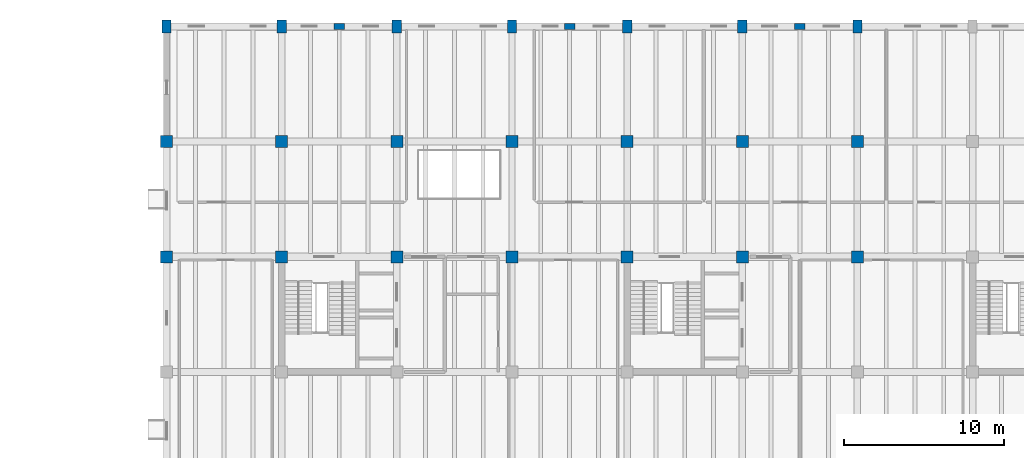
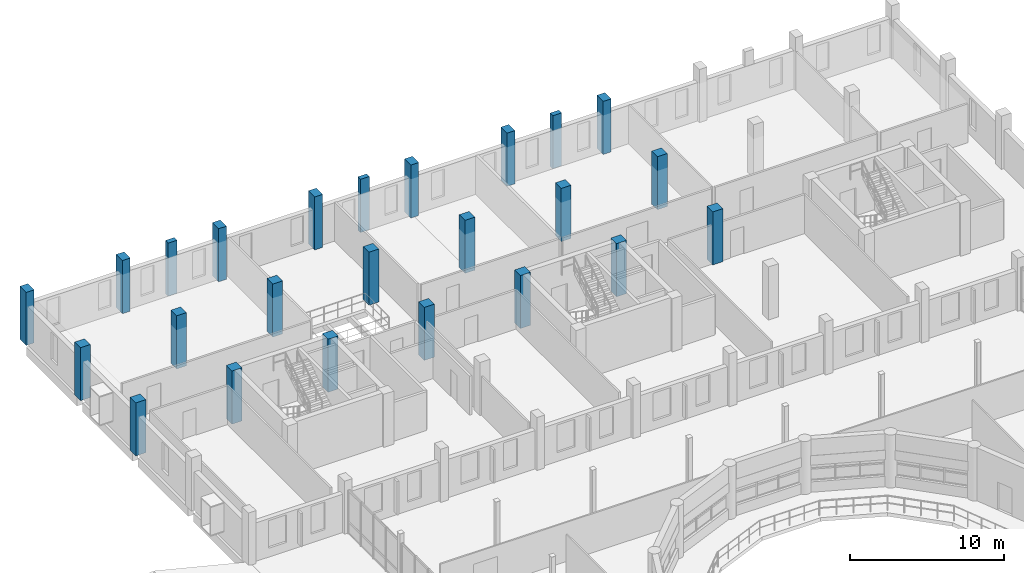
# One storey, part 9 of 63: 24 columns.
"""IFC4 building model written with IfcOpenShell, lengths in metres."""

from ifc_helpers import new_model, si_unit, direction, frame, origin, origin_2d, place, context, subcontext, project, spatial, rectangle, extrude, material, material_profile, profile_set, type_object, element, save


model = new_model("IFC4")

# Units and contexts
model_context = context("Model", 3, precision=1e-05, world=origin(), true_north=direction((0.0, 1.0)))
body_context = subcontext(model_context, "Body", "Model", "MODEL_VIEW")
ifc_project = project(units=[si_unit("LENGTHUNIT", "METRE"), si_unit("AREAUNIT", "SQUARE_METRE"), si_unit("VOLUMEUNIT", "CUBIC_METRE"), si_unit("PLANEANGLEUNIT", "RADIAN"), si_unit("MASSUNIT", "GRAM", prefix="KILO")], contexts=[model_context])

# Site, building, storey
site_placement = place(None, origin())
site = spatial("IfcSite", under=ifc_project, at=site_placement, CompositionType="ELEMENT")
building_placement = place(site_placement, origin())
building = spatial("IfcBuilding", under=site, at=building_placement, Name="Qiaolan Assembly House", CompositionType="ELEMENT")
storey_placement = place(building_placement, frame((0.0, 0.0, 14.39990234375)))
storey = spatial("IfcBuildingStorey", under=building, at=storey_placement, Name="L03", CompositionType="ELEMENT", Elevation=14.39990234375)

# Columns
ifc_material_1 = material(Name="Concrete C45/55", Category="concrete")
ifc_material_profile_1 = material_profile(ifc_material_1, rectangle(XDim=0.75, YDim=0.75, at=origin_2d()), Name="RC 750x750")
ifc_profile_set_1 = profile_set([ifc_material_profile_1], Name="Concrete C45/55")
column_type_1 = type_object("IfcColumnType", Name="COL-RC-750", PredefinedType="COLUMN", material=ifc_profile_set_1)
for number, where, z_axis, x_axis, name in (
    (1, (36.0, 100.800048828125, 0.0), (0.0, 0.0, 1.0), (1.0, 0.0, 0.0), "RC-06 column NW L03"),
    (2, (36.0, 108.0, 0.0), (0.0, 0.0, 1.0), (1.0, 0.0, 0.0), "RC-06 column NW L03"),
    (3, (43.199951171875, 100.800048828125, 0.0), (0.0, 0.0, 1.0), (1.0, 0.0, 0.0), "RC-06 column NW L03"),
    (4, (43.199951171875, 108.0, 0.0), (0.0, 0.0, 1.0), (1.0, 0.0, 0.0), "RC-06 column NW L03"),
    (5, (50.39990234375, 100.800048828125, 0.0), (0.0, 0.0, 1.0), (1.0, 0.0, 0.0), "RC-06 column NW L03"),
    (6, (50.39990234375, 108.0, 0.0), (0.0, 0.0, 1.0), (1.0, 0.0, 0.0), "RC-06 column NW L03"),
    (7, (57.60009765625, 100.800048828125, 0.0), (0.0, 0.0, 1.0), (1.0, 0.0, 0.0), "RC-06 column NW L03"),
    (8, (57.60009765625, 108.0, 0.0), (0.0, 0.0, 1.0), (1.0, 0.0, 0.0), "RC-06 column NW L03"),
    (9, (64.800048828125, 100.800048828125, 0.0), (0.0, 0.0, 1.0), (1.0, 0.0, 0.0), "RC-06 column NW L03"),
    (10, (64.800048828125, 108.0, 0.0), (0.0, 0.0, 1.0), (1.0, 0.0, 0.0), "RC-06 column NW L03"),
    (11, (72.0, 100.800048828125, 0.0), (0.0, 0.0, 1.0), (1.0, 0.0, 0.0), "RC-06 column NW L03"),
    (12, (72.0, 108.0, 0.0), (0.0, 0.0, 1.0), (1.0, 0.0, 0.0), "RC-06 column NW L03"),
    (13, (79.199951171875, 100.800048828125, 0.0), (0.0, 0.0, 1.0), (1.0, 0.0, 0.0), "RC-06 column NW L03"),
    (14, (79.199951171875, 108.0, 0.0), (0.0, 0.0, 1.0), (1.0, 0.0, 0.0), "RC-06 column NW L03"),
):
    element("IfcColumn", number, at=place(storey_placement, frame(where, z_axis=z_axis, x_axis=x_axis)), inside=storey, type_object=column_type_1, Name=name, PredefinedType="COLUMN", context=body_context, shape_type="SweptSolid", body=[
        extrude(rectangle(XDim=0.75, YDim=0.75, at=origin_2d()), origin(), (0.0, 0.0, 1.0), 4.2001953125),
    ])
ifc_material_profile_2 = material_profile(ifc_material_1, rectangle(XDim=0.580078125, YDim=0.81005859375, at=origin_2d()), Name="RC 810x580")
ifc_profile_set_2 = profile_set([ifc_material_profile_2], Name="Concrete C45/55")
column_type_2 = type_object("IfcColumnType", Name="COL-RC-810x580", PredefinedType="COLUMN", material=ifc_profile_set_2)
for number, where, z_axis, x_axis, name in (
    (15, (36.0, 115.199951171875, 0.0), (0.0, 0.0, 1.0), (1.0, 0.0, 0.0), "RC-18 column NW L03"),
    (16, (43.199951171875, 115.199951171875, 0.0), (0.0, 0.0, 1.0), (1.0, 0.0, 0.0), "RC-18 column NW L03"),
    (17, (50.39990234375, 115.199951171875, 0.0), (0.0, 0.0, 1.0), (1.0, 0.0, 0.0), "RC-18 column NW L03"),
    (18, (57.60009765625, 115.199951171875, 0.0), (0.0, 0.0, 1.0), (1.0, 0.0, 0.0), "RC-18 column NW L03"),
    (19, (64.800048828125, 115.199951171875, 0.0), (0.0, 0.0, 1.0), (1.0, 0.0, 0.0), "RC-18 column NW L03"),
    (20, (72.0, 115.199951171875, 0.0), (0.0, 0.0, 1.0), (1.0, 0.0, 0.0), "RC-18 column NW L03"),
    (21, (79.199951171875, 115.199951171875, 0.0), (0.0, 0.0, 1.0), (1.0, 0.0, 0.0), "RC-18 column NW L03"),
):
    element("IfcColumn", number, at=place(storey_placement, frame(where, z_axis=z_axis, x_axis=x_axis)), inside=storey, type_object=column_type_2, Name=name, PredefinedType="COLUMN", context=body_context, shape_type="SweptSolid", body=[
        extrude(rectangle(XDim=0.580078125, YDim=0.81005859375, at=origin_2d()), origin(), (0.0, 0.0, 1.0), 4.2001953125),
    ])
ifc_material_2 = material(Name="Precast concrete C45/55", Category="concrete")
ifc_material_profile_3 = material_profile(ifc_material_2, rectangle(XDim=0.659912109375, YDim=0.35009765625, at=origin_2d()), Name="PIL 660x350")
ifc_profile_set_3 = profile_set([ifc_material_profile_3], Name="Precast concrete C45/55")
column_type_3 = type_object("IfcColumnType", Name="PIL-NW-660x350", PredefinedType="PILASTER", material=ifc_profile_set_3)
for number, where, z_axis, x_axis, name in (
    (22, (46.800048828125, 115.199951171875, 0.0), (0.0, 0.0, 1.0), (1.0, 0.0, 0.0), "PL-07 neoclassical pilaster NW L03"),
    (23, (61.199951171875, 115.199951171875, 0.0), (0.0, 0.0, 1.0), (1.0, 0.0, 0.0), "PL-07 neoclassical pilaster NW L03"),
    (24, (75.60009765625, 115.199951171875, 0.0), (0.0, 0.0, 1.0), (1.0, 0.0, 0.0), "PL-07 neoclassical pilaster NW L03"),
):
    element("IfcColumn", number, at=place(storey_placement, frame(where, z_axis=z_axis, x_axis=x_axis)), inside=storey, type_object=column_type_3, Name=name, PredefinedType="PILASTER", context=body_context, shape_type="SweptSolid", body=[
        extrude(rectangle(XDim=0.659912109375, YDim=0.35009765625, at=origin_2d()), origin(), (0.0, 0.0, 1.0), 4.2001953125),
    ])

save(model, "model.ifc")
